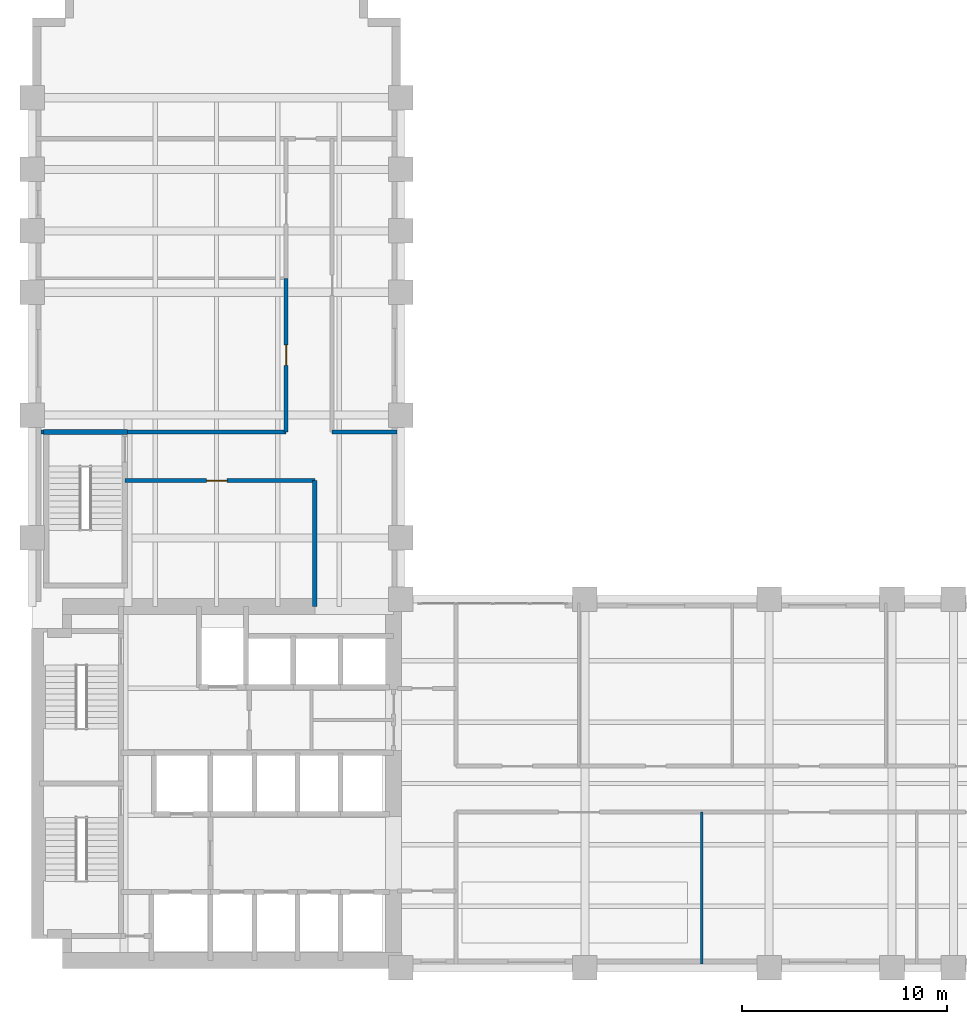
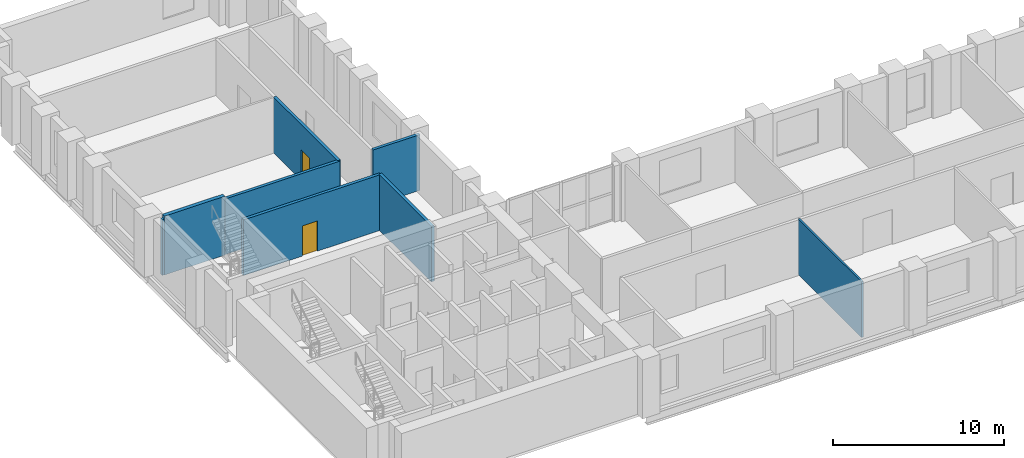
# One storey, part 6 of 9: 8 walls, 2 doors, 2 openings.
"""IFC4 building model written with IfcOpenShell, lengths in metres."""

from ifc_helpers import new_model, si_unit, direction, frame, frame_2d, origin, place, context, subcontext, project, spatial, rectangle, extrude, material, layer, layer_set, type_object, element, fill, save


model = new_model("IFC4")

# Units and contexts
model_context = context("Model", 3, precision=1e-05, world=origin(), true_north=direction((0.0, 1.0)))
body_context = subcontext(model_context, "Body", "Model", "MODEL_VIEW")
ifc_project = project(units=[si_unit("LENGTHUNIT", "METRE"), si_unit("AREAUNIT", "SQUARE_METRE"), si_unit("VOLUMEUNIT", "CUBIC_METRE"), si_unit("PLANEANGLEUNIT", "RADIAN"), si_unit("MASSUNIT", "GRAM", prefix="KILO")], contexts=[model_context])

# Site, building, storey
site_placement = place(None, origin())
site = spatial("IfcSite", under=ifc_project, at=site_placement, CompositionType="ELEMENT")
building_placement = place(site_placement, origin())
building = spatial("IfcBuilding", under=site, at=building_placement, Name="Mawjdan Bourse Tower", CompositionType="ELEMENT")
storey_placement = place(building_placement, frame((0.0, 0.0, 51.0)))
storey = spatial("IfcBuildingStorey", under=building, at=storey_placement, Name="L11", CompositionType="ELEMENT", Elevation=51.0)

# Wall, opening, door
ifc_material_1 = material(Name="Gypsum Fireboard Assembly")
ifc_layer_1 = layer(ifc_material_1, 0.199951171875)
ifc_layer_set_1 = layer_set([ifc_layer_1], Name="Gypsum Fireboard Assembly")
wall_type_1 = type_object("IfcWallType", Name="WL-CMP-200", PredefinedType="PARTITIONING", material=ifc_layer_set_1)
wall_1_placement = place(storey_placement, frame((10.52001953125, 26.800048828125, 0.0), z_axis=(0.0, 0.0, 1.0), x_axis=(1.0, 0.0, 0.0)))
wall_1 = element("IfcWall", 1, at=wall_1_placement, inside=storey, type_object=wall_type_1, Name="L11 North Throat North Wall", PredefinedType="PARTITIONING", context=body_context, shape_type="SweptSolid", body=[
    extrude(rectangle(XDim=9.280029296875, YDim=0.199951171875, at=frame_2d((4.64013671875, 0.0))), origin(), (0.0, 0.0, 1.0), 3.969970703125),
])
opening_1_placement = place(wall_1_placement, frame((4.0, 0.0, 0.0)))
opening_1 = element("IfcOpeningElement", 2, at=opening_1_placement, cuts=wall_1, Name="Opening D-L11-28", PredefinedType="OPENING", context=body_context, shape_type="SweptSolid", body=[
    extrude(rectangle(XDim=1.0, YDim=2.14990234375, at=frame_2d((0.5, 1.074951171875))), frame((0.0, 0.10986328125, 0.0), z_axis=(0.0, -1.0, 0.0), x_axis=(1.0, 0.0, 0.0)), (0.0, 0.0, 1.0), 0.219970703125),
])
ifc_material_2 = material(Name="Hardwood Acoustic Leaf", Category="wood")
door_type = type_object("IfcDoorType", Name="DR-OFC-1000", OperationType="NOTDEFINED", PredefinedType="DOOR", material=ifc_material_2)
door_1_placement = place(opening_1_placement, origin())
door_1 = element("IfcDoor", 3, at=door_1_placement, inside=storey, type_object=door_type, Name="L11 North Throat Suite Door D-L11-28", OperationType="SINGLE_SWING_RIGHT", OverallHeight=2.14990234375, OverallWidth=1.0, PredefinedType="DOOR", context=body_context, shape_type="SweptSolid", body=[
    extrude(rectangle(XDim=1.0, YDim=2.14990234375, at=frame_2d((0.5, 1.074951171875))), frame((0.0, 0.02490234375, 0.0), z_axis=(0.0, -1.0, 0.0), x_axis=(1.0, 0.0, 0.0)), (0.0, 0.0, 1.0), 0.050048828125),
])
fill(opening_1, door_1)

# Walls
wall_2_placement = place(storey_placement, frame((19.800048828125, 20.64990234375, 0.0), z_axis=(0.0, 0.0, 1.0), x_axis=(0.0, 1.0, 0.0)))
element("IfcWall", 4, at=wall_2_placement, inside=storey, type_object=wall_type_1, Name="L11 North Throat East Wall", PredefinedType="PARTITIONING", context=body_context, shape_type="SweptSolid", body=[
    extrude(rectangle(XDim=6.150146484375, YDim=0.199951171875, at=frame_2d((3.0751953125, 0.0))), origin(), (0.0, 0.0, 1.0), 3.969970703125),
])
wall_3_placement = place(storey_placement, frame((6.419921875, 29.179931640625, 0.0), z_axis=(0.0, 0.0, 1.0), x_axis=(1.0, 0.0, 0.0)))
element("IfcWall", 5, at=wall_3_placement, inside=storey, type_object=wall_type_1, Name="L11 North West Band ST3 West Return", PredefinedType="PARTITIONING", context=body_context, shape_type="SweptSolid", body=[
    extrude(rectangle(XDim=0.135009765625, YDim=0.199951171875, at=frame_2d((0.0673828125, 0.0))), origin(), (0.0, 0.0, 1.0), 3.969970703125),
])
wall_4_placement = place(storey_placement, frame((10.6298828125, 29.179931640625, 0.0), z_axis=(0.0, 0.0, 1.0), x_axis=(1.0, 0.0, 0.0)))
element("IfcWall", 6, at=wall_4_placement, inside=storey, type_object=wall_type_1, Name="L11 North West Band South Wall", PredefinedType="PARTITIONING", context=body_context, shape_type="SweptSolid", body=[
    extrude(rectangle(XDim=7.77001953125, YDim=0.199951171875, at=frame_2d((3.885009765625, 0.0))), origin(), (0.0, 0.0, 1.0), 3.969970703125),
])
wall_5_placement = place(storey_placement, frame((20.64990234375, 29.179931640625, 0.0), z_axis=(0.0, 0.0, 1.0), x_axis=(1.0, 0.0, 0.0)))
element("IfcWall", 7, at=wall_5_placement, inside=storey, type_object=wall_type_1, Name="L11 North East Band South Wall", PredefinedType="PARTITIONING", context=body_context, shape_type="SweptSolid", body=[
    extrude(rectangle(XDim=3.170166015625, YDim=0.199951171875, at=frame_2d((1.5849609375, 0.0))), origin(), (0.0, 0.0, 1.0), 3.969970703125),
])

# Wall, opening, door
wall_6_placement = place(storey_placement, frame((18.39990234375, 29.179931640625, 0.0), z_axis=(0.0, 0.0, 1.0), x_axis=(0.0, 1.0, 0.0)))
wall_6 = element("IfcWall", 8, at=wall_6_placement, inside=storey, type_object=wall_type_1, Name="L11 Commodities Dealing Hall Corridor Wall", PredefinedType="PARTITIONING", context=body_context, shape_type="SweptSolid", body=[
    extrude(rectangle(XDim=7.5, YDim=0.199951171875, at=frame_2d((3.75, 0.0))), origin(), (0.0, 0.0, 1.0), 3.969970703125),
])
opening_2_placement = place(wall_6_placement, frame((3.25, 0.0, 0.0)))
opening_2 = element("IfcOpeningElement", 9, at=opening_2_placement, cuts=wall_6, Name="Opening D-L11-29", PredefinedType="OPENING", context=body_context, shape_type="SweptSolid", body=[
    extrude(rectangle(XDim=1.0, YDim=2.14990234375, at=frame_2d((0.5, 1.074951171875))), frame((0.0, 0.10986328125, 0.0), z_axis=(0.0, -1.0, 0.0), x_axis=(1.0, 0.0, 0.0)), (0.0, 0.0, 1.0), 0.219970703125),
])
door_2_placement = place(opening_2_placement, origin())
door_2 = element("IfcDoor", 10, at=door_2_placement, inside=storey, type_object=door_type, Name="L11 Commodities Dealing Hall Door D-L11-29", OperationType="SINGLE_SWING_LEFT", OverallHeight=2.14990234375, OverallWidth=1.0, PredefinedType="DOOR", context=body_context, shape_type="SweptSolid", body=[
    extrude(rectangle(XDim=1.0, YDim=2.14990234375, at=frame_2d((0.5, 1.074951171875))), frame((0.0, 0.02490234375, 0.0), z_axis=(0.0, -1.0, 0.0), x_axis=(1.0, 0.0, 0.0)), (0.0, 0.0, 1.0), 0.050048828125),
])
fill(opening_2, door_2)

# Walls
ifc_material_3 = material(Name="Gypsum Partition")
ifc_layer_2 = layer(ifc_material_3, 0.125)
ifc_layer_set_2 = layer_set([ifc_layer_2], Name="Gypsum Partition")
wall_type_2 = type_object("IfcWallType", Name="WL-PRT-125", PredefinedType="PARTITIONING", material=ifc_layer_set_2)
wall_7_placement = place(storey_placement, frame((38.699951171875, 3.179931640625, 0.0), z_axis=(0.0, 0.0, 1.0), x_axis=(0.0, 1.0, 0.0)))
element("IfcWall", 11, at=wall_7_placement, inside=storey, type_object=wall_type_2, Name="L11 Commodities Dealing Hall Partition", PredefinedType="PARTITIONING", context=body_context, shape_type="SweptSolid", body=[
    extrude(rectangle(XDim=7.420166015625, YDim=0.125, at=frame_2d((3.7099609375, 0.0))), origin(), (0.0, 0.0, 1.0), 3.969970703125),
])
ifc_material_4 = material(Name="Concrete C50/60", Category="concrete")
ifc_layer_3 = layer(ifc_material_4, 0.25)
ifc_layer_set_3 = layer_set([ifc_layer_3], Name="Concrete C50/60")
wall_type_3 = type_object("IfcWallType", Name="WL-STRW-250", PredefinedType="SHEAR", material=ifc_layer_set_3)
wall_8_placement = place(storey_placement, frame((6.554931640625, 29.179931640625, 0.0), z_axis=(0.0, 0.0, 1.0), x_axis=(1.0, 0.0, 0.0)))
element("IfcWall", 12, at=wall_8_placement, inside=storey, type_object=wall_type_3, Name="L11 ST3 North Shaft Wall", PredefinedType="SHEAR", context=body_context, shape_type="SweptSolid", body=[
    extrude(rectangle(XDim=4.090087890625, YDim=0.25, at=frame_2d((2.044921875, 0.0))), origin(), (0.0, 0.0, 1.0), 4.199951171875),
])

save(model, "model.ifc")
